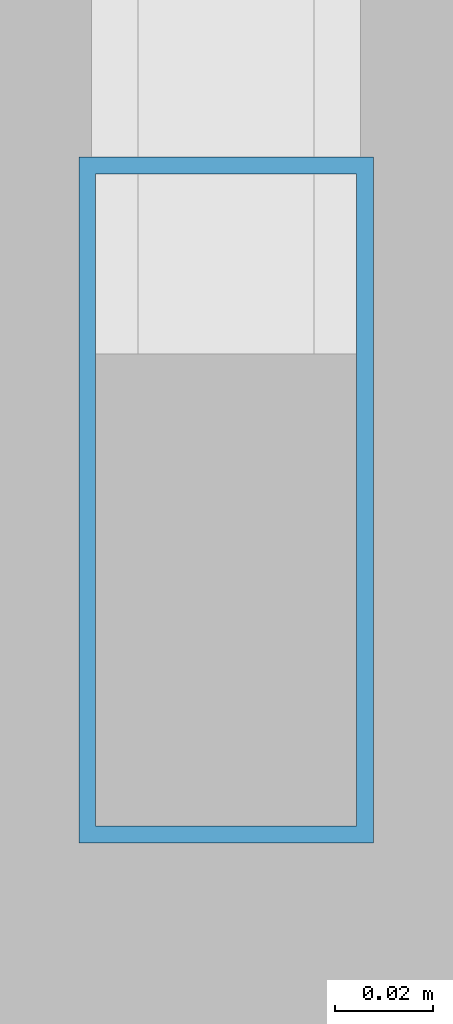
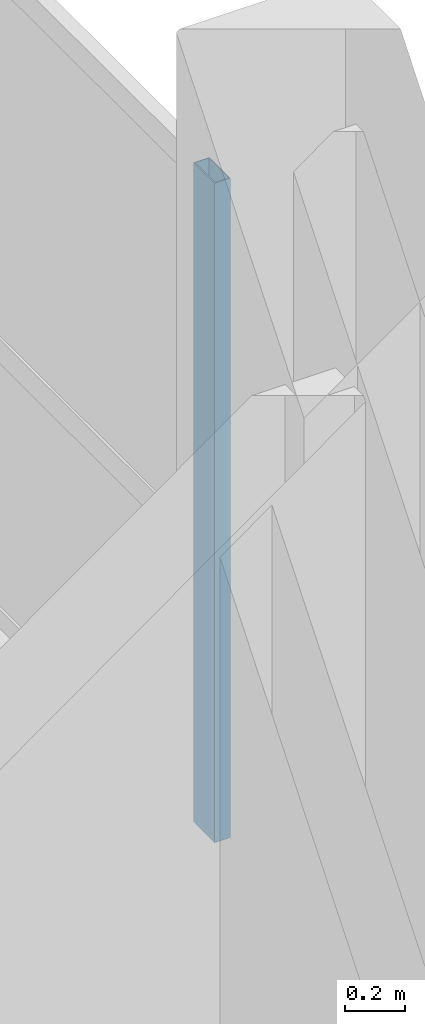
# One storey, part 102 of 140: 1 member, 1 element without a shape of its own.
"""IFC4 building model written with IfcOpenShell, lengths in metres."""

import ifcopenshell
import ifcopenshell.guid

model = None  # the IFC model being written
_history = None  # IfcOwnerHistory: only IFC2X3 demands one
_inside = {}  # id of a spatial element -> (the spatial element, [elements in it])
_under = {}  # id of a project, library or spatial element -> (it, [spatial elements below it])
_declared = {}  # id of a project -> (the project, [libraries it declares])
_typed = {}  # id of a type object -> (the type object, [elements of that type])
_made_of = {}  # id of a material, layer set ... -> (it, [elements and type objects made of it])


def new_model(schema):
    """Start an empty IFC model of exactly this schema.

    Asked for "IFC4X3", IfcOpenShell would pick the latest addendum, in which some entities
    have other attributes; the version numbers below select the first issue.
    IFC2X3 requires an IfcOwnerHistory on every rooted entity: one is made here for all.
    """
    global model, _history
    if schema == "IFC4X3":
        model = ifcopenshell.file(schema_version=(4, 3, 0, 0))
    else:
        model = ifcopenshell.file(schema=schema)
    _inside.clear()
    _under.clear()
    _declared.clear()
    _typed.clear()
    _made_of.clear()
    _history = None
    if model.schema == "IFC2X3":
        org = make("IfcOrganization", Name="unknown")
        user = make(
            "IfcPersonAndOrganization",
            ThePerson=make("IfcPerson", FamilyName="unknown"),
            TheOrganization=org,
        )
        app = make(
            "IfcApplication",
            ApplicationDeveloper=org,
            Version="unknown",
            ApplicationFullName="unknown",
            ApplicationIdentifier="unknown",
        )
        _history = make(
            "IfcOwnerHistory",
            OwningUser=user,
            OwningApplication=app,
            ChangeAction="ADDED",
            CreationDate=0,
        )
    return model


def make(cls, **values):
    """One entity of the class cls with the attributes given. An attribute that is None is left unset."""
    return model.create_entity(
        cls, **{name: value for name, value in values.items() if value is not None}
    )


def rooted(cls, **values):
    """An entity with a GlobalId (a new one), such as an element, a storey or a relation."""
    return make(cls, GlobalId=ifcopenshell.guid.new(), OwnerHistory=_history, **values)


def si_unit(unit_type, name, prefix=None):
    """IfcSIUnit, for example si_unit("LENGTHUNIT", "METRE", prefix="MILLI")."""
    return make("IfcSIUnit", UnitType=unit_type, Prefix=prefix, Name=name)


def assignment(units):
    """IfcUnitAssignment: the units of a project."""
    return None if units is None else make("IfcUnitAssignment", Units=units)


def point(xyz):
    """IfcCartesianPoint."""
    return None if xyz is None else make("IfcCartesianPoint", Coordinates=xyz)


def direction(xyz):
    """IfcDirection."""
    return None if xyz is None else make("IfcDirection", DirectionRatios=xyz)


def frame(location, z_axis=None, x_axis=None):
    """IfcAxis2Placement3D, a coordinate frame: its origin and axes. An axis left out is left unset."""
    return make(
        "IfcAxis2Placement3D",
        Location=point(location),
        Axis=direction(z_axis),
        RefDirection=direction(x_axis),
    )


def frame_2d(location, x_axis=None):
    """IfcAxis2Placement2D, a coordinate frame in the plane: its origin and x axis."""
    return make(
        "IfcAxis2Placement2D", Location=point(location), RefDirection=direction(x_axis)
    )


def origin():
    """The frame at (0, 0, 0) with its axes left unset."""
    return frame((0.0, 0.0, 0.0))


def origin_2d():
    """The frame at (0, 0) in the plane with its x axis left unset."""
    return frame_2d((0.0, 0.0))


def place(relative_to, where):
    """IfcLocalPlacement: puts the frame where relative to a parent placement (None: the world)."""
    return make(
        "IfcLocalPlacement", PlacementRelTo=relative_to, RelativePlacement=where
    )


def context(
    kind, dimensions, precision=None, world=None, true_north=None, identifier=None
):
    """IfcGeometricRepresentationContext, for example the 3D "Model" context."""
    return make(
        "IfcGeometricRepresentationContext",
        ContextIdentifier=identifier,
        ContextType=kind,
        CoordinateSpaceDimension=dimensions,
        Precision=precision,
        WorldCoordinateSystem=world,
        TrueNorth=true_north,
    )


def subcontext(parent, identifier, kind, view, scale=None):
    """IfcGeometricRepresentationSubContext, for example "Body" below "Model"."""
    return make(
        "IfcGeometricRepresentationSubContext",
        ContextIdentifier=identifier,
        ContextType=kind,
        ParentContext=parent,
        TargetScale=scale,
        TargetView=view,
    )


def project(units=None, contexts=None):
    """IfcProject with its units and contexts."""
    return rooted(
        "IfcProject",
        Name="project",
        RepresentationContexts=contexts,
        UnitsInContext=assignment(units),
    )


def spatial(cls, under=None, at=None, **own):
    """A site, building, storey or space (cls), placed at a placement, below another one or the project."""
    s = rooted(cls, ObjectPlacement=at, **own)
    if under is not None:
        _under.setdefault(under.id(), (under, []))[1].append(s)
    return s


def profile(cls, at=None, kind="AREA", **sizes):
    """A parametric profile (cls). Its sizes go by their IFC names, for example OverallWidth=200.0."""
    return make(cls, ProfileType=kind, Position=at, **sizes)


def hollow_rectangle(**sizes):
    """IfcRectangleHollowProfileDef."""
    return profile("IfcRectangleHollowProfileDef", **sizes)


def extrude(swept, where, along, depth):
    """IfcExtrudedAreaSolid: the profile swept, set in the frame where, extruded along a direction by depth."""
    return make(
        "IfcExtrudedAreaSolid",
        SweptArea=swept,
        Position=where,
        ExtrudedDirection=direction(along),
        Depth=depth,
    )


def shape(context_of_items, identifier, shape_type, items):
    """IfcShapeRepresentation: the items that make up one representation, for example the "Body"."""
    return make(
        "IfcShapeRepresentation",
        ContextOfItems=context_of_items,
        RepresentationIdentifier=identifier,
        RepresentationType=shape_type,
        Items=items,
    )


def material(Name=None, Category=None):
    """IfcMaterial."""
    return make("IfcMaterial", Name=Name, Category=Category)


def layer(
    of_material, thickness, ventilated=None, Name=None, Category=None, Priority=None
):
    """IfcMaterialLayer: one layer of a wall or slab, of a material (None: an air gap)."""
    return make(
        "IfcMaterialLayer",
        Material=of_material,
        LayerThickness=thickness,
        IsVentilated=ventilated,
        Name=Name,
        Category=Category,
        Priority=Priority,
    )


def layer_set(layers, Name=None):
    """IfcMaterialLayerSet."""
    return make("IfcMaterialLayerSet", MaterialLayers=layers, LayerSetName=Name)


def material_profile(
    of_material, cross_section, Name=None, Category=None, Priority=None
):
    """IfcMaterialProfile: a cross section and its material."""
    return make(
        "IfcMaterialProfile",
        Name=Name,
        Material=of_material,
        Profile=cross_section,
        Priority=Priority,
        Category=Category,
    )


def profile_set(profiles, Name=None, composite=None):
    """IfcMaterialProfileSet."""
    return make(
        "IfcMaterialProfileSet",
        Name=Name,
        MaterialProfiles=profiles,
        CompositeProfile=composite,
    )


def made_of(thing, what):
    """Note that an element or type object is made of a material, layer set ...; save() writes the relation."""
    if what is not None:
        _made_of.setdefault(what.id(), (what, []))[1].append(thing)
    return thing


def type_object(cls, material=None, **own):
    """A type object (cls), such as IfcWallType, which elements share."""
    return made_of(rooted(cls, **own), material)


def element(
    cls,
    number,
    at=None,
    inside=None,
    cuts=None,
    type_object=None,
    material=None,
    context=None,
    identifier="Body",
    shape_type=None,
    held_by="IfcProductDefinitionShape",
    body=None,
    shapes=None,
    **own,
):
    """One element of the class cls, such as IfcWall. Its Tag is "e" and its number.

    at: its placement. inside: the storey or other place that contains it. cuts: it is an
    opening in that element (IfcRelVoidsElement). A single representation is given by context,
    identifier, shape_type and body (its items); several are given by shapes. held_by: the class
    of the entity that holds the representations. save() writes the other relations.
    """
    e = rooted(cls, Tag="e%d" % number, ObjectPlacement=at, **own)
    if body is not None:
        shapes = [shape(context, identifier, shape_type, body)]
    if shapes is not None:
        e.Representation = make(held_by, Representations=shapes)
    if inside is not None:
        _inside.setdefault(inside.id(), (inside, []))[1].append(e)
    if cuts is not None:
        rooted(
            "IfcRelVoidsElement", RelatingBuildingElement=cuts, RelatedOpeningElement=e
        )
    if type_object is not None:
        _typed.setdefault(type_object.id(), (type_object, []))[1].append(e)
    return made_of(e, material)


def aggregate(whole, parts):
    """IfcRelAggregates: a whole, such as a stair, and the parts it consists of."""
    return rooted("IfcRelAggregates", RelatingObject=whole, RelatedObjects=parts)


def save(model, path):
    """Write the relations noted so far, then the file.

    IfcRelAggregates (storeys below a building ...), IfcRelContainedInSpatialStructure (elements
    in a storey), IfcRelDefinesByType, IfcRelAssociatesMaterial and IfcRelDeclares: one each for
    every whole, place, type object, material and project.
    """
    for whole, parts in _under.values():
        aggregate(whole, parts)
    for where, things in _inside.values():
        rooted(
            "IfcRelContainedInSpatialStructure",
            RelatedElements=things,
            RelatingStructure=where,
        )
    for kind, things in _typed.values():
        rooted("IfcRelDefinesByType", RelatedObjects=things, RelatingType=kind)
    for what, things in _made_of.values():
        rooted("IfcRelAssociatesMaterial", RelatedObjects=things, RelatingMaterial=what)
    for by, libraries in _declared.values():
        rooted("IfcRelDeclares", RelatingContext=by, RelatedDefinitions=libraries)
    model.write(path)


model = new_model("IFC4")

# Units and contexts
model_context = context("Model", 3, precision=1e-05, world=origin(), true_north=direction((0.0, 1.0)))
body_context = subcontext(model_context, "Body", "Model", "MODEL_VIEW")
ifc_project = project(units=[si_unit("LENGTHUNIT", "METRE"), si_unit("AREAUNIT", "SQUARE_METRE"), si_unit("VOLUMEUNIT", "CUBIC_METRE"), si_unit("PLANEANGLEUNIT", "RADIAN"), si_unit("MASSUNIT", "GRAM", prefix="KILO")], contexts=[model_context])

# Site, building, storey
site_placement = place(None, origin())
site = spatial("IfcSite", under=ifc_project, at=site_placement, CompositionType="ELEMENT")
building_placement = place(site_placement, origin())
building = spatial("IfcBuilding", under=site, at=building_placement, Name="Seraya Terrace Polytechnic", CompositionType="ELEMENT")
storey_placement = place(building_placement, frame((0.0, 0.0, 9.60009765625)))
storey = spatial("IfcBuildingStorey", under=building, at=storey_placement, Name="L02", CompositionType="ELEMENT", Elevation=9.60009765625)

# Curtain wall, member
ifc_material = material(Name="Anodised aluminium EN AW-6063 T6", Category="aluminium")
ifc_layer = layer(ifc_material, 0.179931640625, Name="CW-18")
ifc_layer_set = layer_set([ifc_layer], Name="Anodised aluminium EN AW-6063 T6")
curtain_wall_type = type_object("IfcCurtainWallType", Name="CW-18", PredefinedType="NOTDEFINED", material=ifc_layer_set)
curtain_wall_placement = place(storey_placement, origin())
curtain_wall = element("IfcCurtainWall", 1, at=curtain_wall_placement, inside=storey, type_object=curtain_wall_type, Name="Unitised curtain wall CW-18 (CW-L02-090)", PredefinedType="NOTDEFINED")
ifc_material_profile = material_profile(ifc_material, hollow_rectangle(XDim=0.06005859375, YDim=0.139892578125, WallThickness=0.00341796875, at=origin_2d()), Name="RHS 140x60x3.5")
ifc_profile_set = profile_set([ifc_material_profile], Name="Anodised aluminium EN AW-6063 T6")
member_type = type_object("IfcMemberType", Name="CWM-03", PredefinedType="MULLION", material=ifc_profile_set)
member_placement = place(storey_placement, frame((158.39990234375, 94.35009765625, 1.239990234375), z_axis=(0.0, 0.0, 1.0), x_axis=(1.0, 0.0, 0.0)))
member = element("IfcMember", 2, at=member_placement, type_object=member_type, Name="CW-18 mullion 3", PredefinedType="MULLION", context=body_context, shape_type="SweptSolid", body=[
    extrude(hollow_rectangle(XDim=0.06005859375, YDim=0.139892578125, WallThickness=0.00341796875, at=origin_2d()), origin(), (0.0, 0.0, 1.0), 2.679931640625),
])
aggregate(curtain_wall, [member])

save(model, "model.ifc")
